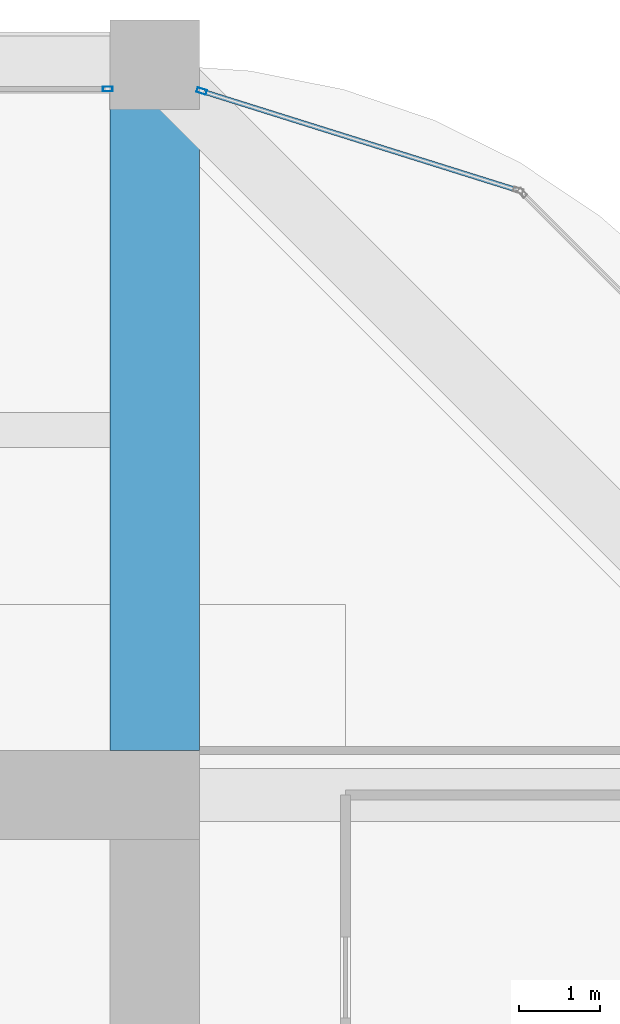
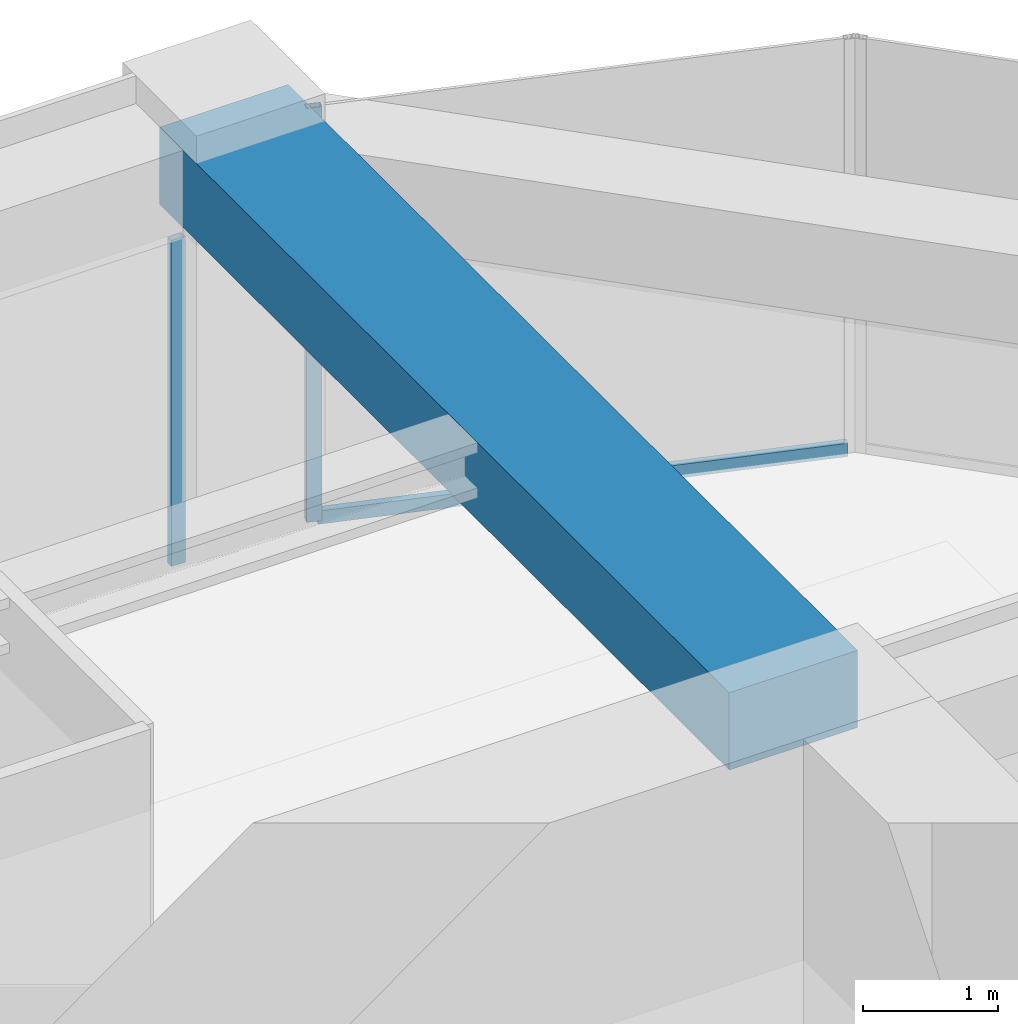
# One storey, part 37 of 45: 3 members, 1 beam, 2 elements without a shape of their own.
"""IFC4 building model written with IfcOpenShell, lengths in metres."""

from ifc_helpers import new_model, si_unit, direction, frame, origin, origin_2d, place, context, subcontext, project, spatial, rectangle, hollow_rectangle, extrude, material, material_profile, profile_set, type_object, element, aggregate, save


model = new_model("IFC4")

# Units and contexts
model_context = context("Model", 3, precision=1e-05, world=origin(), true_north=direction((0.0, 1.0)))
body_context = subcontext(model_context, "Body", "Model", "MODEL_VIEW")
ifc_project = project(units=[si_unit("LENGTHUNIT", "METRE"), si_unit("AREAUNIT", "SQUARE_METRE"), si_unit("VOLUMEUNIT", "CUBIC_METRE"), si_unit("PLANEANGLEUNIT", "RADIAN"), si_unit("MASSUNIT", "GRAM", prefix="KILO")], contexts=[model_context])

# Site, building, storey
site_placement = place(None, origin())
site = spatial("IfcSite", under=ifc_project, at=site_placement, CompositionType="ELEMENT")
building_placement = place(site_placement, origin())
building = spatial("IfcBuilding", under=site, at=building_placement, Name="Zorevar Civic Tower", CompositionType="ELEMENT")
storey_placement = place(building_placement, frame((0.0, 0.0, 279.39990234375)))
storey = spatial("IfcBuildingStorey", under=building, at=storey_placement, Name="L68", CompositionType="ELEMENT", Elevation=279.39990234375)

# Beam
ifc_material_1 = material(Name="Concrete C50/60", Category="concrete")
ifc_material_profile_1 = material_profile(ifc_material_1, rectangle(XDim=1.10009765625, YDim=0.699951171875, at=origin_2d()), Name="RC 1100x700")
ifc_profile_set_1 = profile_set([ifc_material_profile_1], Name="Concrete C50/60")
beam_type = type_object("IfcBeamType", Name="Beam RC 1100x700", PredefinedType="BEAM", material=ifc_profile_set_1)
beam_placement = place(storey_placement, frame((45.0, 36.550048828125, 3.400146484375), z_axis=(0.0, 1.0, 0.0), x_axis=(-1.0, 0.0, 0.0)))
element("IfcBeam", 1, at=beam_placement, inside=storey, type_object=beam_type, Name="Girder L69", PredefinedType="BEAM", context=body_context, shape_type="SweptSolid", body=[
    extrude(rectangle(XDim=1.10009765625, YDim=0.699951171875, at=origin_2d()), origin(), (0.0, 0.0, 1.0), 8.449951171875),
])

# Curtain wall, member
ifc_material_2 = material(Name="Dark grey solar-control glass in black aluminium frame", Category="aluminium")
curtain_wall_type = type_object("IfcCurtainWallType", Name="Curtain wall CW5 top zone", PredefinedType="NOTDEFINED", material=ifc_material_2)
curtain_wall_1_placement = place(storey_placement, origin())
curtain_wall_1 = element("IfcCurtainWall", 2, at=curtain_wall_1_placement, inside=storey, type_object=curtain_wall_type, Name="CW5 L68", PredefinedType="NOTDEFINED")
ifc_material_3 = material(Name="Aluminium, black anodised", Category="aluminium")
ifc_material_profile_2 = material_profile(ifc_material_3, hollow_rectangle(XDim=0.06005859375, YDim=0.1201171875, WallThickness=0.0029296875, at=origin_2d()), Name="AL 120x60x3")
ifc_profile_set_2 = profile_set([ifc_material_profile_2], Name="Aluminium, black anodised")
member_type_1 = type_object("IfcMemberType", Name="CW5 mullion AL 120x60x3", PredefinedType="MULLION", material=ifc_profile_set_2)
member_1_placement = place(storey_placement, frame((44.419921875, 44.699951171875, 0.0), z_axis=(0.0, 0.0, 1.0), x_axis=(0.0, 1.0, 0.0)))
member_1 = element("IfcMember", 3, at=member_1_placement, type_object=member_type_1, Name="CW5 mullion 3", PredefinedType="MULLION", context=body_context, shape_type="SweptSolid", body=[
    extrude(hollow_rectangle(XDim=0.06005859375, YDim=0.1201171875, WallThickness=0.0029296875, at=origin_2d()), origin(), (0.0, 0.0, 1.0), 2.9501953125),
])
aggregate(curtain_wall_1, [member_1])

# Curtain wall, members
curtain_wall_2_placement = place(storey_placement, origin())
curtain_wall_2 = element("IfcCurtainWall", 4, at=curtain_wall_2_placement, inside=storey, type_object=curtain_wall_type, Name="CW5 L68", PredefinedType="NOTDEFINED")
member_2_placement = place(storey_placement, frame((45.57861328125, 44.673583984375, 0.0), z_axis=(0.0, 0.0, 1.0), x_axis=(-0.299317920238, -0.954153437674, 0.0)))
member_2 = element("IfcMember", 5, at=member_2_placement, type_object=member_type_1, Name="CW5 mullion 2", PredefinedType="MULLION", context=body_context, shape_type="SweptSolid", body=[
    extrude(hollow_rectangle(XDim=0.06005859375, YDim=0.1201171875, WallThickness=0.0029296875, at=origin_2d()), origin(), (0.0, 0.0, 1.0), 3.75),
])
ifc_material_4 = material(Name="Aluminium, black anodised", Category="aluminium")
ifc_material_profile_3 = material_profile(ifc_material_4, hollow_rectangle(XDim=0.06005859375, YDim=0.1201171875, WallThickness=0.0029296875, at=origin_2d()), Name="AL 120x60x3")
ifc_profile_set_3 = profile_set([ifc_material_profile_3], Name="Aluminium, black anodised")
member_type_2 = type_object("IfcMemberType", Name="CW5 transom AL 120x60x3", PredefinedType="USERDEFINED", material=ifc_profile_set_3)
member_3_placement = place(storey_placement, frame((49.45068359375, 43.458984375, 0.030029296875), z_axis=(-0.954163457351, 0.299285978047, 0.0), x_axis=(-0.299285978047, -0.954163457351, 0.0)))
member_3 = element("IfcMember", 6, at=member_3_placement, type_object=member_type_2, Name="CW5 sill transom", ObjectType="TRANSOM", PredefinedType="USERDEFINED", context=body_context, shape_type="SweptSolid", body=[
    extrude(hollow_rectangle(XDim=0.06005859375, YDim=0.1201171875, WallThickness=0.0029296875, at=origin_2d()), origin(), (0.0, 0.0, 1.0), 4.028076171875),
])
aggregate(curtain_wall_2, [member_2, member_3])

save(model, "model.ifc")
